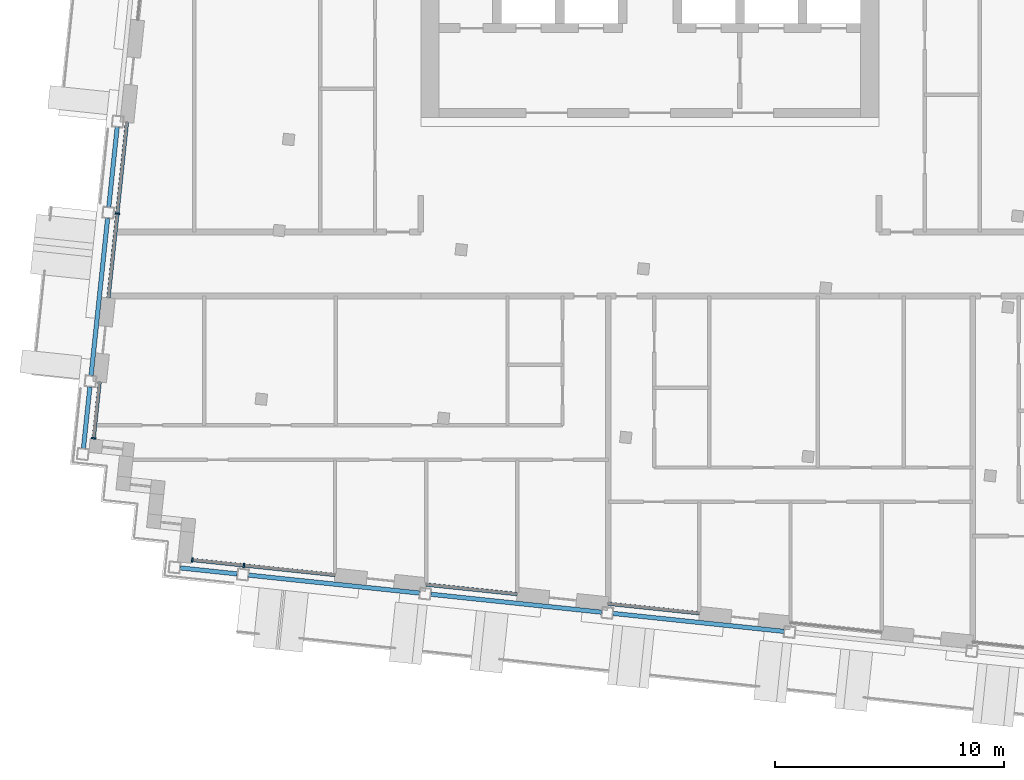
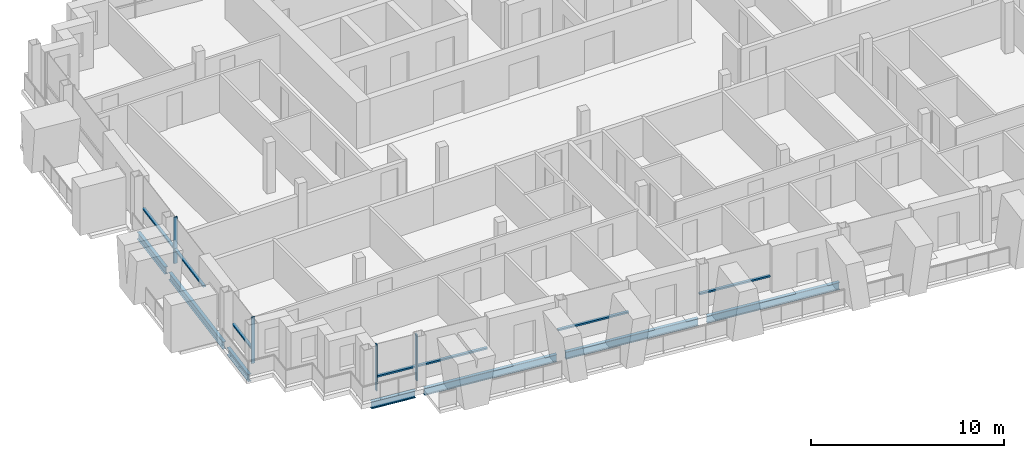
# One storey, part 2 of 17: 11 members, 7 beams, 5 elements without a shape of their own.
"""IFC4 building model written with IfcOpenShell, lengths in metres."""

import ifcopenshell
import ifcopenshell.guid

model = None  # the IFC model being written
_history = None  # IfcOwnerHistory: only IFC2X3 demands one
_inside = {}  # id of a spatial element -> (the spatial element, [elements in it])
_under = {}  # id of a project, library or spatial element -> (it, [spatial elements below it])
_declared = {}  # id of a project -> (the project, [libraries it declares])
_typed = {}  # id of a type object -> (the type object, [elements of that type])
_made_of = {}  # id of a material, layer set ... -> (it, [elements and type objects made of it])


def new_model(schema):
    """Start an empty IFC model of exactly this schema.

    Asked for "IFC4X3", IfcOpenShell would pick the latest addendum, in which some entities
    have other attributes; the version numbers below select the first issue.
    IFC2X3 requires an IfcOwnerHistory on every rooted entity: one is made here for all.
    """
    global model, _history
    if schema == "IFC4X3":
        model = ifcopenshell.file(schema_version=(4, 3, 0, 0))
    else:
        model = ifcopenshell.file(schema=schema)
    _inside.clear()
    _under.clear()
    _declared.clear()
    _typed.clear()
    _made_of.clear()
    _history = None
    if model.schema == "IFC2X3":
        org = make("IfcOrganization", Name="unknown")
        user = make(
            "IfcPersonAndOrganization",
            ThePerson=make("IfcPerson", FamilyName="unknown"),
            TheOrganization=org,
        )
        app = make(
            "IfcApplication",
            ApplicationDeveloper=org,
            Version="unknown",
            ApplicationFullName="unknown",
            ApplicationIdentifier="unknown",
        )
        _history = make(
            "IfcOwnerHistory",
            OwningUser=user,
            OwningApplication=app,
            ChangeAction="ADDED",
            CreationDate=0,
        )
    return model


def make(cls, **values):
    """One entity of the class cls with the attributes given. An attribute that is None is left unset."""
    return model.create_entity(
        cls, **{name: value for name, value in values.items() if value is not None}
    )


def rooted(cls, **values):
    """An entity with a GlobalId (a new one), such as an element, a storey or a relation."""
    return make(cls, GlobalId=ifcopenshell.guid.new(), OwnerHistory=_history, **values)


def si_unit(unit_type, name, prefix=None):
    """IfcSIUnit, for example si_unit("LENGTHUNIT", "METRE", prefix="MILLI")."""
    return make("IfcSIUnit", UnitType=unit_type, Prefix=prefix, Name=name)


def assignment(units):
    """IfcUnitAssignment: the units of a project."""
    return None if units is None else make("IfcUnitAssignment", Units=units)


def point(xyz):
    """IfcCartesianPoint."""
    return None if xyz is None else make("IfcCartesianPoint", Coordinates=xyz)


def direction(xyz):
    """IfcDirection."""
    return None if xyz is None else make("IfcDirection", DirectionRatios=xyz)


def frame(location, z_axis=None, x_axis=None):
    """IfcAxis2Placement3D, a coordinate frame: its origin and axes. An axis left out is left unset."""
    return make(
        "IfcAxis2Placement3D",
        Location=point(location),
        Axis=direction(z_axis),
        RefDirection=direction(x_axis),
    )


def frame_2d(location, x_axis=None):
    """IfcAxis2Placement2D, a coordinate frame in the plane: its origin and x axis."""
    return make(
        "IfcAxis2Placement2D", Location=point(location), RefDirection=direction(x_axis)
    )


def origin():
    """The frame at (0, 0, 0) with its axes left unset."""
    return frame((0.0, 0.0, 0.0))


def origin_2d():
    """The frame at (0, 0) in the plane with its x axis left unset."""
    return frame_2d((0.0, 0.0))


def place(relative_to, where):
    """IfcLocalPlacement: puts the frame where relative to a parent placement (None: the world)."""
    return make(
        "IfcLocalPlacement", PlacementRelTo=relative_to, RelativePlacement=where
    )


def context(
    kind, dimensions, precision=None, world=None, true_north=None, identifier=None
):
    """IfcGeometricRepresentationContext, for example the 3D "Model" context."""
    return make(
        "IfcGeometricRepresentationContext",
        ContextIdentifier=identifier,
        ContextType=kind,
        CoordinateSpaceDimension=dimensions,
        Precision=precision,
        WorldCoordinateSystem=world,
        TrueNorth=true_north,
    )


def subcontext(parent, identifier, kind, view, scale=None):
    """IfcGeometricRepresentationSubContext, for example "Body" below "Model"."""
    return make(
        "IfcGeometricRepresentationSubContext",
        ContextIdentifier=identifier,
        ContextType=kind,
        ParentContext=parent,
        TargetScale=scale,
        TargetView=view,
    )


def project(units=None, contexts=None):
    """IfcProject with its units and contexts."""
    return rooted(
        "IfcProject",
        Name="project",
        RepresentationContexts=contexts,
        UnitsInContext=assignment(units),
    )


def spatial(cls, under=None, at=None, **own):
    """A site, building, storey or space (cls), placed at a placement, below another one or the project."""
    s = rooted(cls, ObjectPlacement=at, **own)
    if under is not None:
        _under.setdefault(under.id(), (under, []))[1].append(s)
    return s


def profile(cls, at=None, kind="AREA", **sizes):
    """A parametric profile (cls). Its sizes go by their IFC names, for example OverallWidth=200.0."""
    return make(cls, ProfileType=kind, Position=at, **sizes)


def rectangle(**sizes):
    """IfcRectangleProfileDef."""
    return profile("IfcRectangleProfileDef", **sizes)


def i_section(**sizes):
    """IfcIShapeProfileDef."""
    return profile("IfcIShapeProfileDef", **sizes)


def extrude(swept, where, along, depth):
    """IfcExtrudedAreaSolid: the profile swept, set in the frame where, extruded along a direction by depth."""
    return make(
        "IfcExtrudedAreaSolid",
        SweptArea=swept,
        Position=where,
        ExtrudedDirection=direction(along),
        Depth=depth,
    )


def shape(context_of_items, identifier, shape_type, items):
    """IfcShapeRepresentation: the items that make up one representation, for example the "Body"."""
    return make(
        "IfcShapeRepresentation",
        ContextOfItems=context_of_items,
        RepresentationIdentifier=identifier,
        RepresentationType=shape_type,
        Items=items,
    )


def material(Name=None, Category=None):
    """IfcMaterial."""
    return make("IfcMaterial", Name=Name, Category=Category)


def material_profile(
    of_material, cross_section, Name=None, Category=None, Priority=None
):
    """IfcMaterialProfile: a cross section and its material."""
    return make(
        "IfcMaterialProfile",
        Name=Name,
        Material=of_material,
        Profile=cross_section,
        Priority=Priority,
        Category=Category,
    )


def profile_set(profiles, Name=None, composite=None):
    """IfcMaterialProfileSet."""
    return make(
        "IfcMaterialProfileSet",
        Name=Name,
        MaterialProfiles=profiles,
        CompositeProfile=composite,
    )


def made_of(thing, what):
    """Note that an element or type object is made of a material, layer set ...; save() writes the relation."""
    if what is not None:
        _made_of.setdefault(what.id(), (what, []))[1].append(thing)
    return thing


def type_object(cls, material=None, **own):
    """A type object (cls), such as IfcWallType, which elements share."""
    return made_of(rooted(cls, **own), material)


def element(
    cls,
    number,
    at=None,
    inside=None,
    cuts=None,
    type_object=None,
    material=None,
    context=None,
    identifier="Body",
    shape_type=None,
    held_by="IfcProductDefinitionShape",
    body=None,
    shapes=None,
    **own,
):
    """One element of the class cls, such as IfcWall. Its Tag is "e" and its number.

    at: its placement. inside: the storey or other place that contains it. cuts: it is an
    opening in that element (IfcRelVoidsElement). A single representation is given by context,
    identifier, shape_type and body (its items); several are given by shapes. held_by: the class
    of the entity that holds the representations. save() writes the other relations.
    """
    e = rooted(cls, Tag="e%d" % number, ObjectPlacement=at, **own)
    if body is not None:
        shapes = [shape(context, identifier, shape_type, body)]
    if shapes is not None:
        e.Representation = make(held_by, Representations=shapes)
    if inside is not None:
        _inside.setdefault(inside.id(), (inside, []))[1].append(e)
    if cuts is not None:
        rooted(
            "IfcRelVoidsElement", RelatingBuildingElement=cuts, RelatedOpeningElement=e
        )
    if type_object is not None:
        _typed.setdefault(type_object.id(), (type_object, []))[1].append(e)
    return made_of(e, material)


def aggregate(whole, parts):
    """IfcRelAggregates: a whole, such as a stair, and the parts it consists of."""
    return rooted("IfcRelAggregates", RelatingObject=whole, RelatedObjects=parts)


def save(model, path):
    """Write the relations noted so far, then the file.

    IfcRelAggregates (storeys below a building ...), IfcRelContainedInSpatialStructure (elements
    in a storey), IfcRelDefinesByType, IfcRelAssociatesMaterial and IfcRelDeclares: one each for
    every whole, place, type object, material and project.
    """
    for whole, parts in _under.values():
        aggregate(whole, parts)
    for where, things in _inside.values():
        rooted(
            "IfcRelContainedInSpatialStructure",
            RelatedElements=things,
            RelatingStructure=where,
        )
    for kind, things in _typed.values():
        rooted("IfcRelDefinesByType", RelatedObjects=things, RelatingType=kind)
    for what, things in _made_of.values():
        rooted("IfcRelAssociatesMaterial", RelatedObjects=things, RelatingMaterial=what)
    for by, libraries in _declared.values():
        rooted("IfcRelDeclares", RelatingContext=by, RelatedDefinitions=libraries)
    model.write(path)


model = new_model("IFC4")

# Units and contexts
model_context = context("Model", 3, precision=1e-05, world=origin(), true_north=direction((0.0, 1.0)))
body_context = subcontext(model_context, "Body", "Model", "MODEL_VIEW")
ifc_project = project(units=[si_unit("LENGTHUNIT", "METRE"), si_unit("AREAUNIT", "SQUARE_METRE"), si_unit("VOLUMEUNIT", "CUBIC_METRE"), si_unit("PLANEANGLEUNIT", "RADIAN"), si_unit("MASSUNIT", "GRAM", prefix="KILO")], contexts=[model_context])

# Site, building, storey
site_placement = place(None, origin())
site = spatial("IfcSite", under=ifc_project, at=site_placement, CompositionType="ELEMENT")
building_placement = place(site_placement, origin())
building = spatial("IfcBuilding", under=site, at=building_placement, Name="Vidyagriha Tower", CompositionType="ELEMENT")
storey_placement = place(building_placement, frame((0.0, 0.0, 265.89990234375)))
storey = spatial("IfcBuildingStorey", under=building, at=storey_placement, Name="L69", CompositionType="ELEMENT", Elevation=265.89990234375)

# Beams
ifc_material_1 = material(Name="Steel ASTM A992 Grade 50", Category="steel")
ifc_material_profile_1 = material_profile(ifc_material_1, i_section(OverallWidth=0.19189453125, OverallDepth=0.46240234375, WebThickness=0.010498046875, FlangeThickness=0.017578125, at=origin_2d()), Name="W18X60")
ifc_profile_set_1 = profile_set([ifc_material_profile_1], Name="Steel ASTM A992 Grade 50")
beam_type = type_object("IfcBeamType", Name="Edge beam W18X60", PredefinedType="SPANDREL", material=ifc_profile_set_1)
beam_1_placement = place(storey_placement, frame((-20.50341796875, -13.268798828125, -0.510986328125), z_axis=(0.994525767953, -0.104491611519, 0.0), x_axis=(0.104491611519, 0.994525767953, 0.0)))
element("IfcBeam", 1, at=beam_1_placement, inside=storey, type_object=beam_type, Name="st-beam-L69-S01", PredefinedType="SPANDREL", context=body_context, shape_type="SweptSolid", body=[
    extrude(i_section(OverallWidth=0.19189453125, OverallDepth=0.46240234375, WebThickness=0.010498046875, FlangeThickness=0.017578125, at=origin_2d()), origin(), (0.0, 0.0, 1.0), 2.5),
])
for number, where, z_axis, x_axis, name in (
    (2, (-17.519775390625, -13.582275390625, -0.510986328125), (0.994522384662, -0.104523807841, 0.0), (0.104523807841, 0.994522384662, 0.0), "st-beam-L69-S02"),
    (3, (-9.563720703125, -14.418701171875, -0.510986328125), (0.994525767953, -0.104491611519, 0.0), (0.104491611519, 0.994525767953, 0.0), "st-beam-L69-S03"),
    (4, (-1.607421875, -15.2548828125, -0.510986328125), (0.994522384662, -0.104523807841, 0.0), (0.104523807841, 0.994522384662, 0.0), "st-beam-L69-S04"),
):
    element("IfcBeam", number, at=place(storey_placement, frame(where, z_axis=z_axis, x_axis=x_axis)), inside=storey, type_object=beam_type, Name=name, PredefinedType="SPANDREL", context=body_context, shape_type="SweptSolid", body=[
        extrude(i_section(OverallWidth=0.19189453125, OverallDepth=0.46240234375, WebThickness=0.010498046875, FlangeThickness=0.017578125, at=origin_2d()), origin(), (0.0, 0.0, 1.0), 7.5),
    ])
beam_2_placement = place(storey_placement, frame((-24.730712890625, -8.04833984375, -0.510986328125), z_axis=(0.104524753323, 0.994522285292, 0.0), x_axis=(-0.994522285292, 0.104524753323, 0.0)))
element("IfcBeam", 5, at=beam_2_placement, inside=storey, type_object=beam_type, Name="st-beam-L69-W08", PredefinedType="SPANDREL", context=body_context, shape_type="SweptSolid", body=[
    extrude(i_section(OverallWidth=0.19189453125, OverallDepth=0.46240234375, WebThickness=0.010498046875, FlangeThickness=0.017578125, at=origin_2d()), origin(), (0.0, 0.0, 1.0), 2.7001953125),
])
beam_3_placement = place(storey_placement, frame((-24.396484375, -4.86572265625, -0.510986328125), z_axis=(0.104557694553, 0.994518822602, 0.0), x_axis=(-0.994518822602, 0.104557694553, 0.0)))
element("IfcBeam", 6, at=beam_3_placement, inside=storey, type_object=beam_type, Name="st-beam-L69-W09", PredefinedType="SPANDREL", context=body_context, shape_type="SweptSolid", body=[
    extrude(i_section(OverallWidth=0.19189453125, OverallDepth=0.46240234375, WebThickness=0.010498046875, FlangeThickness=0.017578125, at=origin_2d()), origin(), (0.0, 0.0, 1.0), 6.89990234375),
])
beam_4_placement = place(storey_placement, frame((-23.622802734375, 2.49365234375, -0.510986328125), z_axis=(0.104488712073, 0.994526072584, 0.0), x_axis=(-0.994526072584, 0.104488712073, 0.0)))
element("IfcBeam", 7, at=beam_4_placement, inside=storey, type_object=beam_type, Name="st-beam-L69-W10", PredefinedType="SPANDREL", context=body_context, shape_type="SweptSolid", body=[
    extrude(i_section(OverallWidth=0.19189453125, OverallDepth=0.46240234375, WebThickness=0.010498046875, FlangeThickness=0.017578125, at=origin_2d()), origin(), (0.0, 0.0, 1.0), 3.5),
])

# Curtain wall, member
ifc_material_2 = material(Name="Aluminium and glass curtain wall", Category="aluminium")
curtain_wall_type = type_object("IfcCurtainWallType", Name="Dwelling skin unitised curtain wall", PredefinedType="USERDEFINED", material=ifc_material_2)
curtain_wall_1_placement = place(storey_placement, origin())
curtain_wall_1 = element("IfcCurtainWall", 8, at=curtain_wall_1_placement, inside=storey, type_object=curtain_wall_type, Name="CW1 dwelling skin", ObjectType="UNITISED", PredefinedType="USERDEFINED")
ifc_material_3 = material(Name="Aluminium black anodised", Category="aluminium")
ifc_material_profile_2 = material_profile(ifc_material_3, rectangle(XDim=0.199951171875, YDim=0.070068359375, at=origin_2d()), Name="Mullion 70x200 black aluminium")
ifc_profile_set_2 = profile_set([ifc_material_profile_2], Name="Aluminium black anodised")
member_type_1 = type_object("IfcMemberType", Name="Mullion 70x200 black aluminium", PredefinedType="MULLION", material=ifc_profile_set_2)
member_1_placement = place(storey_placement, frame((-23.251220703125, 2.203369140625, 0.0), z_axis=(0.0, 0.0, 1.0), x_axis=(0.994521452706, -0.10453267483, 0.0)))
member_1 = element("IfcMember", 9, at=member_1_placement, type_object=member_type_1, Name="CW1 mullion 2", PredefinedType="MULLION", context=body_context, shape_type="SweptSolid", body=[
    extrude(rectangle(XDim=0.199951171875, YDim=0.070068359375, at=origin_2d()), origin(), (0.0, 0.0, 1.0), 2.920166015625),
])

curtain_wall_2_placement = place(storey_placement, origin())
curtain_wall_2 = element("IfcCurtainWall", 10, at=curtain_wall_2_placement, inside=storey, type_object=curtain_wall_type, Name="CW1 dwelling skin", ObjectType="UNITISED", PredefinedType="USERDEFINED")
member_2_placement = place(storey_placement, frame((-24.2822265625, -7.60791015625, 0.0), z_axis=(0.0, 0.0, 1.0), x_axis=(0.994523191389, -0.10451613172, 0.0)))
member_2 = element("IfcMember", 11, at=member_2_placement, type_object=member_type_1, Name="CW1 mullion 2", PredefinedType="MULLION", context=body_context, shape_type="SweptSolid", body=[
    extrude(rectangle(XDim=0.199951171875, YDim=0.070068359375, at=origin_2d()), origin(), (0.0, 0.0, 1.0), 2.920166015625),
])

# Curtain wall, members
curtain_wall_3_placement = place(storey_placement, origin())
curtain_wall_3 = element("IfcCurtainWall", 12, at=curtain_wall_3_placement, inside=storey, type_object=curtain_wall_type, Name="CW1 dwelling skin", ObjectType="UNITISED", PredefinedType="USERDEFINED")
member_3_placement = place(storey_placement, frame((-19.979248046875, -12.921630859375, 0.0), z_axis=(0.0, 0.0, 1.0), x_axis=(0.104523661385, 0.994522400055, 0.0)))
member_3 = element("IfcMember", 13, at=member_3_placement, type_object=member_type_1, Name="CW1 mullion 1", PredefinedType="MULLION", context=body_context, shape_type="SweptSolid", body=[
    extrude(rectangle(XDim=0.199951171875, YDim=0.070068359375, at=origin_2d()), origin(), (0.0, 0.0, 1.0), 2.920166015625),
])
member_4_placement = place(storey_placement, frame((-17.7265625, -13.158447265625, 0.0), z_axis=(0.0, 0.0, 1.0), x_axis=(0.104523661385, 0.994522400055, 0.0)))
member_4 = element("IfcMember", 14, at=member_4_placement, type_object=member_type_1, Name="CW1 mullion 2", PredefinedType="MULLION", context=body_context, shape_type="SweptSolid", body=[
    extrude(rectangle(XDim=0.199951171875, YDim=0.070068359375, at=origin_2d()), origin(), (0.0, 0.0, 1.0), 2.920166015625),
])

# Member
ifc_material_4 = material(Name="Aluminium black anodised", Category="aluminium")
ifc_material_profile_3 = material_profile(ifc_material_4, rectangle(XDim=0.159912109375, YDim=0.10009765625, at=origin_2d()), Name="Transom 100x160 black aluminium")
ifc_profile_set_3 = profile_set([ifc_material_profile_3], Name="Aluminium black anodised")
member_type_2 = type_object("IfcMemberType", Name="Transom 100x160 black aluminium", PredefinedType="USERDEFINED", material=ifc_profile_set_3)
member_5_placement = place(storey_placement, frame((-22.8330078125, 6.181396484375, 0.900146484375), z_axis=(-0.104550167438, -0.994519613929, 0.0), x_axis=(0.994519613929, -0.104550167438, 0.0)))
member_5 = element("IfcMember", 15, at=member_5_placement, type_object=member_type_2, Name="CW1 transom 1.1", ObjectType="TRANSOM", PredefinedType="USERDEFINED", context=body_context, shape_type="SweptSolid", body=[
    extrude(rectangle(XDim=0.159912109375, YDim=0.10009765625, at=origin_2d()), origin(), (0.0, 0.0, 1.0), 3.965087890625),
])

member_6_placement = place(storey_placement, frame((-23.2548828125, 2.16845703125, 0.900146484375), z_axis=(-0.104521800028, -0.99452259568, 0.0), x_axis=(0.99452259568, -0.104521800028, 0.0)))
member_6 = element("IfcMember", 16, at=member_6_placement, type_object=member_type_2, Name="CW1 transom 2.1", ObjectType="TRANSOM", PredefinedType="USERDEFINED", context=body_context, shape_type="SweptSolid", body=[
    extrude(rectangle(XDim=0.159912109375, YDim=0.10009765625, at=origin_2d()), origin(), (0.0, 0.0, 1.0), 3.664794921875),
])

aggregate(curtain_wall_1, [member_1, member_5, member_6])

member_7_placement = place(storey_placement, frame((-24.024658203125, -5.15625, 0.900146484375), z_axis=(-0.104486049741, -0.994526352295, 0.0), x_axis=(0.994526352295, -0.104486049741, 0.0)))
member_7 = element("IfcMember", 17, at=member_7_placement, type_object=member_type_2, Name="CW1 transom 1.1", ObjectType="TRANSOM", PredefinedType="USERDEFINED", context=body_context, shape_type="SweptSolid", body=[
    extrude(rectangle(XDim=0.159912109375, YDim=0.10009765625, at=origin_2d()), origin(), (0.0, 0.0, 1.0), 2.429931640625),
])

aggregate(curtain_wall_2, [member_2, member_7])

member_8_placement = place(storey_placement, frame((-19.9443359375, -12.92529296875, 0.900146484375), z_axis=(0.994518853465, -0.104557400991, 0.0), x_axis=(0.104557400991, 0.994518853465, 0.0)))
member_8 = element("IfcMember", 18, at=member_8_placement, type_object=member_type_2, Name="CW1 transom 1.1", ObjectType="TRANSOM", PredefinedType="USERDEFINED", context=body_context, shape_type="SweptSolid", body=[
    extrude(rectangle(XDim=0.159912109375, YDim=0.10009765625, at=origin_2d()), origin(), (0.0, 0.0, 1.0), 2.19482421875),
])

member_9_placement = place(storey_placement, frame((-17.69189453125, -13.162109375, 0.900146484375), z_axis=(0.994526014245, -0.104489267346, 0.0), x_axis=(0.104489267346, 0.994526014245, 0.0)))
member_9 = element("IfcMember", 19, at=member_9_placement, type_object=member_type_2, Name="CW1 transom 2.1", ObjectType="TRANSOM", PredefinedType="USERDEFINED", context=body_context, shape_type="SweptSolid", body=[
    extrude(rectangle(XDim=0.159912109375, YDim=0.10009765625, at=origin_2d()), origin(), (0.0, 0.0, 1.0), 3.965087890625),
])

aggregate(curtain_wall_3, [member_3, member_4, member_8, member_9])

# Curtain wall, member
curtain_wall_4_placement = place(storey_placement, origin())
curtain_wall_4 = element("IfcCurtainWall", 20, at=curtain_wall_4_placement, inside=storey, type_object=curtain_wall_type, Name="CW1 dwelling skin", ObjectType="UNITISED", PredefinedType="USERDEFINED")
member_10_placement = place(storey_placement, frame((-9.7705078125, -13.99462890625, 0.900146484375), z_axis=(0.99451982373, -0.104548171712, 0.0), x_axis=(0.104548171712, 0.99451982373, 0.0)))
member_10 = element("IfcMember", 21, at=member_10_placement, type_object=member_type_2, Name="CW1 transom 1.1", ObjectType="TRANSOM", PredefinedType="USERDEFINED", context=body_context, shape_type="SweptSolid", body=[
    extrude(rectangle(XDim=0.159912109375, YDim=0.10009765625, at=origin_2d()), origin(), (0.0, 0.0, 1.0), 4.000244140625),
])
aggregate(curtain_wall_4, [member_10])

curtain_wall_5_placement = place(storey_placement, origin())
curtain_wall_5 = element("IfcCurtainWall", 22, at=curtain_wall_5_placement, inside=storey, type_object=curtain_wall_type, Name="CW1 dwelling skin", ObjectType="UNITISED", PredefinedType="USERDEFINED")
member_11_placement = place(storey_placement, frame((-1.814208984375, -14.830810546875, 0.900146484375), z_axis=(0.994519156568, -0.104554517933, 0.0), x_axis=(0.104554517933, 0.994519156568, 0.0)))
member_11 = element("IfcMember", 23, at=member_11_placement, type_object=member_type_2, Name="CW1 transom 1.1", ObjectType="TRANSOM", PredefinedType="USERDEFINED", context=body_context, shape_type="SweptSolid", body=[
    extrude(rectangle(XDim=0.159912109375, YDim=0.10009765625, at=origin_2d()), origin(), (0.0, 0.0, 1.0), 4.0),
])
aggregate(curtain_wall_5, [member_11])

save(model, "model.ifc")
